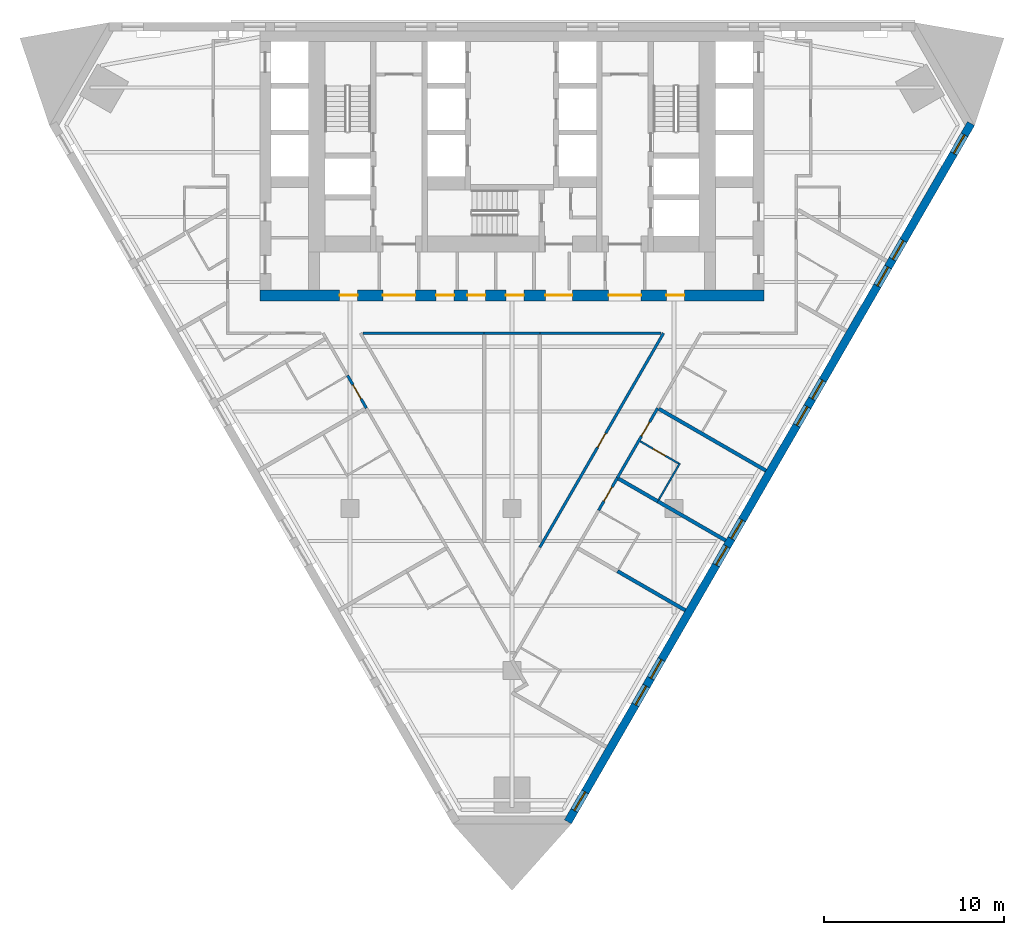
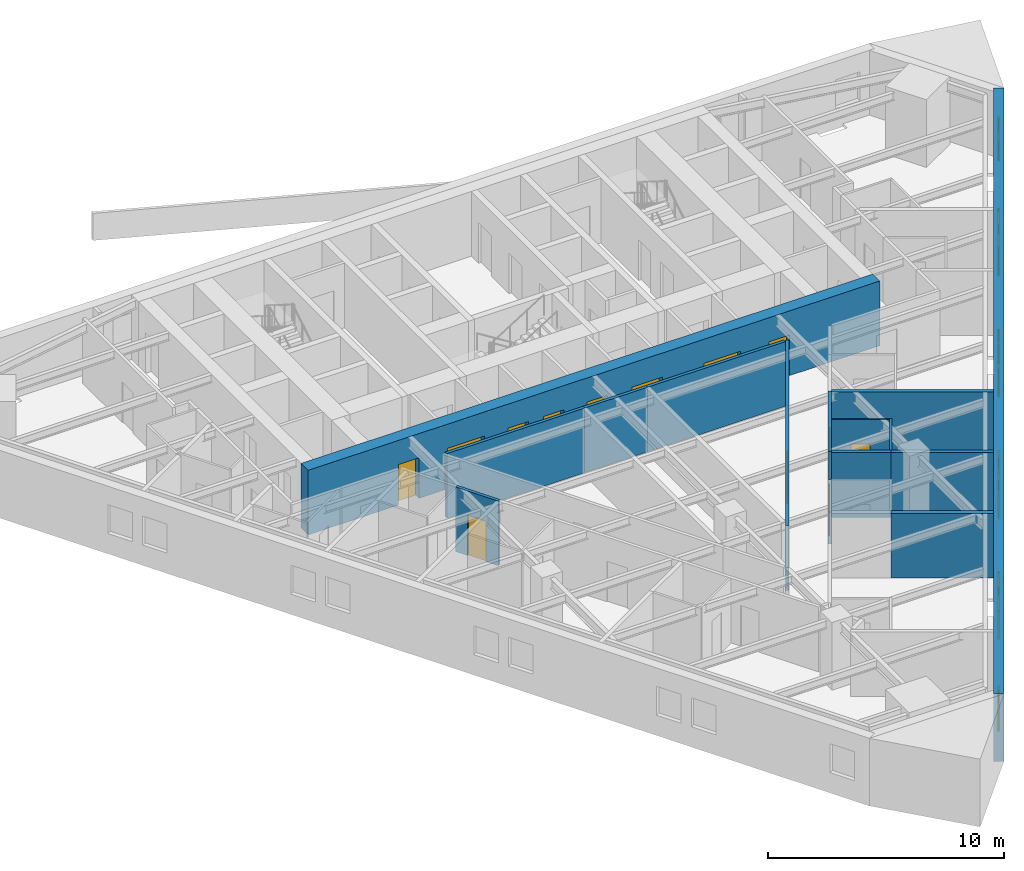
# One storey, part 4 of 11: 15 walls, 13 doors, 10 windows, 23 openings.
"""IFC4 building model written with IfcOpenShell, lengths in metres."""

from ifc_helpers import new_model, si_unit, direction, frame, frame_2d, origin, place, context, subcontext, project, spatial, polyline, rectangle, outline, extrude, material, layer, layer_set, type_object, element, fill, save


model = new_model("IFC4")

# Units and contexts
model_context = context("Model", 3, precision=1e-05, world=origin(), true_north=direction((0.0, 1.0)))
body_context = subcontext(model_context, "Body", "Model", "MODEL_VIEW")
ifc_project = project(units=[si_unit("LENGTHUNIT", "METRE"), si_unit("AREAUNIT", "SQUARE_METRE"), si_unit("VOLUMEUNIT", "CUBIC_METRE"), si_unit("PLANEANGLEUNIT", "RADIAN"), si_unit("MASSUNIT", "GRAM", prefix="KILO")], contexts=[model_context])

# Site, building, storey
site_placement = place(None, origin())
site = spatial("IfcSite", under=ifc_project, at=site_placement, CompositionType="ELEMENT")
building_placement = place(site_placement, origin())
building = spatial("IfcBuilding", under=site, at=building_placement, Name="Aloe Facet Convention Tower", CompositionType="ELEMENT")
storey_placement = place(building_placement, frame((0.0, 0.0, 38.5)))
storey = spatial("IfcBuildingStorey", under=building, at=storey_placement, Name="L07", CompositionType="ELEMENT", Elevation=38.5)

# Wall, openings, doors
ifc_material_1 = material(Name="Concrete C80/95", Category="concrete")
ifc_layer_1 = layer(ifc_material_1, 0.60009765625)
ifc_layer_set_1 = layer_set([ifc_layer_1], Name="CR-W-RC600-C8095")
wall_type_1 = type_object("IfcWallType", Name="CR-W-RC600-C8095", PredefinedType="SOLIDWALL", material=ifc_layer_set_1)
wall_1_placement = place(storey_placement, frame((66.0, 119.85009765625, 0.0), z_axis=(0.0, 0.0, 1.0), x_axis=(1.0, 0.0, 0.0)))
wall_1 = element("IfcWall", 1, at=wall_1_placement, inside=storey, type_object=wall_type_1, Name="Core wall L07-003", PredefinedType="SOLIDWALL", context=body_context, shape_type="SweptSolid", body=[
    extrude(rectangle(XDim=28.0, YDim=0.60009765625, at=frame_2d((14.0, 0.0))), origin(), (0.0, 0.0, 1.0), 3.35009765625),
])
opening_1_placement = place(wall_1_placement, frame((6.824951171875, 0.0, 0.0)))
opening_1 = element("IfcOpeningElement", 2, at=opening_1_placement, cuts=wall_1, Name="Opening L07-CD16", PredefinedType="OPENING", context=body_context, shape_type="SweptSolid", body=[
    extrude(rectangle(XDim=1.800048828125, YDim=2.10009765625, at=frame_2d((0.89990234375, 1.050048828125))), frame((0.0, 0.31005859375, 0.0), z_axis=(0.0, -1.0, 0.0), x_axis=(1.0, 0.0, 0.0)), (0.0, 0.0, 1.0), 0.6201171875),
])
opening_2_placement = place(wall_1_placement, frame((15.85009765625, 0.0, 0.0)))
opening_2 = element("IfcOpeningElement", 3, at=opening_2_placement, cuts=wall_1, Name="Opening L07-CD17", PredefinedType="OPENING", context=body_context, shape_type="SweptSolid", body=[
    extrude(rectangle(XDim=1.5, YDim=2.10009765625, at=frame_2d((0.75, 1.050048828125))), frame((0.0, 0.31005859375, 0.0), z_axis=(0.0, -1.0, 0.0), x_axis=(1.0, 0.0, 0.0)), (0.0, 0.0, 1.0), 0.6201171875),
])
opening_3_placement = place(wall_1_placement, frame((19.375, 0.0, 0.0)))
opening_3 = element("IfcOpeningElement", 4, at=opening_3_placement, cuts=wall_1, Name="Opening L07-CD18", PredefinedType="OPENING", context=body_context, shape_type="SweptSolid", body=[
    extrude(rectangle(XDim=1.800048828125, YDim=2.10009765625, at=frame_2d((0.89990234375, 1.050048828125))), frame((0.0, 0.31005859375, 0.0), z_axis=(0.0, -1.0, 0.0), x_axis=(1.0, 0.0, 0.0)), (0.0, 0.0, 1.0), 0.6201171875),
])
opening_4_placement = place(wall_1_placement, frame((4.425048828125, 0.0, 0.0)))
opening_4 = element("IfcOpeningElement", 5, at=opening_4_placement, cuts=wall_1, Name="Opening L07-CD23", PredefinedType="OPENING", context=body_context, shape_type="SweptSolid", body=[
    extrude(rectangle(XDim=1.0, YDim=2.10009765625, at=frame_2d((0.5, 1.050048828125))), frame((0.0, 0.31005859375, 0.0), z_axis=(0.0, -1.0, 0.0), x_axis=(1.0, 0.0, 0.0)), (0.0, 0.0, 1.0), 0.6201171875),
])
opening_5_placement = place(wall_1_placement, frame((9.783203125, 0.0, 0.0)))
opening_5 = element("IfcOpeningElement", 6, at=opening_5_placement, cuts=wall_1, Name="Opening L07-CD24", PredefinedType="OPENING", context=body_context, shape_type="SweptSolid", body=[
    extrude(rectangle(XDim=1.0, YDim=2.10009765625, at=frame_2d((0.5, 1.050048828125))), frame((0.0, 0.31005859375, 0.0), z_axis=(0.0, -1.0, 0.0), x_axis=(1.0, 0.0, 0.0)), (0.0, 0.0, 1.0), 0.6201171875),
])
opening_6_placement = place(wall_1_placement, frame((11.52490234375, 0.0, 0.0)))
opening_6 = element("IfcOpeningElement", 7, at=opening_6_placement, cuts=wall_1, Name="Opening L07-CD25", PredefinedType="OPENING", context=body_context, shape_type="SweptSolid", body=[
    extrude(rectangle(XDim=1.0, YDim=2.10009765625, at=frame_2d((0.5, 1.050048828125))), frame((0.0, 0.31005859375, 0.0), z_axis=(0.0, -1.0, 0.0), x_axis=(1.0, 0.0, 0.0)), (0.0, 0.0, 1.0), 0.6201171875),
])
opening_7_placement = place(wall_1_placement, frame((13.658203125, 0.0, 0.0)))
opening_7 = element("IfcOpeningElement", 8, at=opening_7_placement, cuts=wall_1, Name="Opening L07-CD26", PredefinedType="OPENING", context=body_context, shape_type="SweptSolid", body=[
    extrude(rectangle(XDim=1.0, YDim=2.10009765625, at=frame_2d((0.5, 1.050048828125))), frame((0.0, 0.31005859375, 0.0), z_axis=(0.0, -1.0, 0.0), x_axis=(1.0, 0.0, 0.0)), (0.0, 0.0, 1.0), 0.6201171875),
])
opening_8_placement = place(wall_1_placement, frame((22.574951171875, 0.0, 0.0)))
opening_8 = element("IfcOpeningElement", 9, at=opening_8_placement, cuts=wall_1, Name="Opening L07-CD28", PredefinedType="OPENING", context=body_context, shape_type="SweptSolid", body=[
    extrude(rectangle(XDim=1.0, YDim=2.10009765625, at=frame_2d((0.5, 1.050048828125))), frame((0.0, 0.31005859375, 0.0), z_axis=(0.0, -1.0, 0.0), x_axis=(1.0, 0.0, 0.0)), (0.0, 0.0, 1.0), 0.6201171875),
])
ifc_material_2 = material(Name="Steel fire-resisting door set FD60", Category="steel")
door_type_1 = type_object("IfcDoorType", Name="CR-D-EXIT-1500-FD60-DD", OperationType="DOUBLE_DOOR_DOUBLE_SWING", PredefinedType="DOOR", material=ifc_material_2)
door_1_placement = place(opening_2_placement, origin())
door_1 = element("IfcDoor", 10, at=door_1_placement, inside=storey, type_object=door_type_1, Name="Core door L07-CD17", OperationType="DOUBLE_DOOR_DOUBLE_SWING", OverallHeight=2.10009765625, OverallWidth=1.5, PredefinedType="DOOR", context=body_context, shape_type="SweptSolid", body=[
    extrude(rectangle(XDim=1.5, YDim=2.10009765625, at=frame_2d((0.75, 1.050048828125))), frame((0.0, 0.02490234375, 0.0), z_axis=(0.0, -1.0, 0.0), x_axis=(1.0, 0.0, 0.0)), (0.0, 0.0, 1.0), 0.050048828125),
])
fill(opening_2, door_1)
ifc_material_3 = material(Name="Steel fire-resisting door set FD60", Category="steel")
door_type_2 = type_object("IfcDoorType", Name="CR-D-EXIT-1800-FD60-DD", OperationType="DOUBLE_DOOR_DOUBLE_SWING", PredefinedType="DOOR", material=ifc_material_3)
door_2_placement = place(opening_1_placement, origin())
door_2 = element("IfcDoor", 11, at=door_2_placement, inside=storey, type_object=door_type_2, Name="Core door L07-CD16", OperationType="DOUBLE_DOOR_DOUBLE_SWING", OverallHeight=2.10009765625, OverallWidth=1.800048828125, PredefinedType="DOOR", context=body_context, shape_type="SweptSolid", body=[
    extrude(rectangle(XDim=1.800048828125, YDim=2.10009765625, at=frame_2d((0.89990234375, 1.050048828125))), frame((0.0, 0.02490234375, 0.0), z_axis=(0.0, -1.0, 0.0), x_axis=(1.0, 0.0, 0.0)), (0.0, 0.0, 1.0), 0.050048828125),
])
fill(opening_1, door_2)
door_3_placement = place(opening_3_placement, origin())
door_3 = element("IfcDoor", 12, at=door_3_placement, inside=storey, type_object=door_type_2, Name="Core door L07-CD18", OperationType="DOUBLE_DOOR_DOUBLE_SWING", OverallHeight=2.10009765625, OverallWidth=1.800048828125, PredefinedType="DOOR", context=body_context, shape_type="SweptSolid", body=[
    extrude(rectangle(XDim=1.800048828125, YDim=2.10009765625, at=frame_2d((0.89990234375, 1.050048828125))), frame((0.0, 0.02490234375, 0.0), z_axis=(0.0, -1.0, 0.0), x_axis=(1.0, 0.0, 0.0)), (0.0, 0.0, 1.0), 0.050048828125),
])
fill(opening_3, door_3)
ifc_material_4 = material(Name="Steel fire-resisting door set FD60", Category="steel")
door_type_3 = type_object("IfcDoorType", Name="CR-D-ROOM-1000-FD60-SRIGHT", OperationType="SINGLE_SWING_RIGHT", PredefinedType="DOOR", material=ifc_material_4)
door_4_placement = place(opening_4_placement, origin())
door_4 = element("IfcDoor", 13, at=door_4_placement, inside=storey, type_object=door_type_3, Name="Core door L07-CD23", OperationType="SINGLE_SWING_RIGHT", OverallHeight=2.10009765625, OverallWidth=1.0, PredefinedType="DOOR", context=body_context, shape_type="SweptSolid", body=[
    extrude(rectangle(XDim=1.0, YDim=2.10009765625, at=frame_2d((0.5, 1.050048828125))), frame((0.0, 0.02490234375, 0.0), z_axis=(0.0, -1.0, 0.0), x_axis=(1.0, 0.0, 0.0)), (0.0, 0.0, 1.0), 0.050048828125),
])
fill(opening_4, door_4)
door_5_placement = place(opening_5_placement, origin())
door_5 = element("IfcDoor", 14, at=door_5_placement, inside=storey, type_object=door_type_3, Name="Core door L07-CD24", OperationType="SINGLE_SWING_RIGHT", OverallHeight=2.10009765625, OverallWidth=1.0, PredefinedType="DOOR", context=body_context, shape_type="SweptSolid", body=[
    extrude(rectangle(XDim=1.0, YDim=2.10009765625, at=frame_2d((0.5, 1.050048828125))), frame((0.0, 0.02490234375, 0.0), z_axis=(0.0, -1.0, 0.0), x_axis=(1.0, 0.0, 0.0)), (0.0, 0.0, 1.0), 0.050048828125),
])
fill(opening_5, door_5)
door_6_placement = place(opening_6_placement, origin())
door_6 = element("IfcDoor", 15, at=door_6_placement, inside=storey, type_object=door_type_3, Name="Core door L07-CD25", OperationType="SINGLE_SWING_RIGHT", OverallHeight=2.10009765625, OverallWidth=1.0, PredefinedType="DOOR", context=body_context, shape_type="SweptSolid", body=[
    extrude(rectangle(XDim=1.0, YDim=2.10009765625, at=frame_2d((0.5, 1.050048828125))), frame((0.0, 0.02490234375, 0.0), z_axis=(0.0, -1.0, 0.0), x_axis=(1.0, 0.0, 0.0)), (0.0, 0.0, 1.0), 0.050048828125),
])
fill(opening_6, door_6)
door_7_placement = place(opening_7_placement, origin())
door_7 = element("IfcDoor", 16, at=door_7_placement, inside=storey, type_object=door_type_3, Name="Core door L07-CD26", OperationType="SINGLE_SWING_RIGHT", OverallHeight=2.10009765625, OverallWidth=1.0, PredefinedType="DOOR", context=body_context, shape_type="SweptSolid", body=[
    extrude(rectangle(XDim=1.0, YDim=2.10009765625, at=frame_2d((0.5, 1.050048828125))), frame((0.0, 0.02490234375, 0.0), z_axis=(0.0, -1.0, 0.0), x_axis=(1.0, 0.0, 0.0)), (0.0, 0.0, 1.0), 0.050048828125),
])
fill(opening_7, door_7)
door_8_placement = place(opening_8_placement, origin())
door_8 = element("IfcDoor", 17, at=door_8_placement, inside=storey, type_object=door_type_3, Name="Core door L07-CD28", OperationType="SINGLE_SWING_RIGHT", OverallHeight=2.10009765625, OverallWidth=1.0, PredefinedType="DOOR", context=body_context, shape_type="SweptSolid", body=[
    extrude(rectangle(XDim=1.0, YDim=2.10009765625, at=frame_2d((0.5, 1.050048828125))), frame((0.0, 0.02490234375, 0.0), z_axis=(0.0, -1.0, 0.0), x_axis=(1.0, 0.0, 0.0)), (0.0, 0.0, 1.0), 0.050048828125),
])
fill(opening_8, door_8)

# Wall, openings, windows
ifc_material_5 = material(Name="Precast concrete C40/50", Category="concrete")
ifc_layer_2 = layer(ifc_material_5, 0.449951171875)
ifc_layer_set_2 = layer_set([ifc_layer_2], Name="EV-WALL-STONE")
wall_type_2 = type_object("IfcWallType", Name="EV-WALL-STONE", PredefinedType="SOLIDWALL", material=ifc_layer_set_2)
wall_2_placement = place(storey_placement, frame((83.105224609375, 90.598876953125, -0.14990234375), z_axis=(0.0, 0.0, 1.0), x_axis=(0.499999201451, 0.866025864826, 0.0)))
wall_2 = element("IfcWall", 18, at=wall_2_placement, inside=storey, type_object=wall_type_2, Name="EW-L07-E01", PredefinedType="SOLIDWALL", context=body_context, shape_type="SweptSolid", body=[
    extrude(outline(polyline([(44.800048828125, 0.0), (44.800048828125, 3.5), (0.0, 3.5), (0.0, 0.0), (44.800048828125, 0.0)])), frame((0.0, 0.22509765625, 0.0), z_axis=(0.0, -1.0, 0.0), x_axis=(1.0, 0.0, 0.0)), (0.0, 0.0, 1.0), 0.449951171875),
])
opening_9_placement = place(wall_2_placement, frame((0.72216796875, 0.0, 1.050048828125)))
opening_9 = element("IfcOpeningElement", 19, at=opening_9_placement, cuts=wall_2, Name="Opening W-L07-E01", PredefinedType="OPENING", context=body_context, shape_type="SweptSolid", body=[
    extrude(rectangle(XDim=1.199951171875, YDim=1.5, at=frame_2d((0.60009765625, 0.75))), frame((0.0, 0.23486328125, 0.0), z_axis=(0.0, -1.0, 0.0), x_axis=(1.0, 0.0, 0.0)), (0.0, 0.0, 1.0), 0.469970703125),
])
opening_10_placement = place(wall_2_placement, frame((7.510009765625, 0.0, 1.050048828125)))
opening_10 = element("IfcOpeningElement", 20, at=opening_10_placement, cuts=wall_2, Name="Opening W-L07-E02", PredefinedType="OPENING", context=body_context, shape_type="SweptSolid", body=[
    extrude(rectangle(XDim=1.199951171875, YDim=1.5, at=frame_2d((0.60009765625, 0.75))), frame((0.0, 0.23486328125, 0.0), z_axis=(0.0, -1.0, 0.0), x_axis=(1.0, 0.0, 0.0)), (0.0, 0.0, 1.0), 0.469970703125),
])
opening_11_placement = place(wall_2_placement, frame((9.2099609375, 0.0, 1.050048828125)))
opening_11 = element("IfcOpeningElement", 21, at=opening_11_placement, cuts=wall_2, Name="Opening W-L07-E03", PredefinedType="OPENING", context=body_context, shape_type="SweptSolid", body=[
    extrude(rectangle(XDim=1.199951171875, YDim=1.5, at=frame_2d((0.60009765625, 0.75))), frame((0.0, 0.23486328125, 0.0), z_axis=(0.0, -1.0, 0.0), x_axis=(1.0, 0.0, 0.0)), (0.0, 0.0, 1.0), 0.469970703125),
])
opening_12_placement = place(wall_2_placement, frame((16.469970703125, 0.0, 1.050048828125)))
opening_12 = element("IfcOpeningElement", 22, at=opening_12_placement, cuts=wall_2, Name="Opening W-L07-E04", PredefinedType="OPENING", context=body_context, shape_type="SweptSolid", body=[
    extrude(rectangle(XDim=1.199951171875, YDim=1.5, at=frame_2d((0.60009765625, 0.75))), frame((0.0, 0.23486328125, 0.0), z_axis=(0.0, -1.0, 0.0), x_axis=(1.0, 0.0, 0.0)), (0.0, 0.0, 1.0), 0.469970703125),
])
opening_13_placement = place(wall_2_placement, frame((18.169921875, 0.0, 1.050048828125)))
opening_13 = element("IfcOpeningElement", 23, at=opening_13_placement, cuts=wall_2, Name="Opening W-L07-E05", PredefinedType="OPENING", context=body_context, shape_type="SweptSolid", body=[
    extrude(rectangle(XDim=1.199951171875, YDim=1.5, at=frame_2d((0.60009765625, 0.75))), frame((0.0, 0.23486328125, 0.0), z_axis=(0.0, -1.0, 0.0), x_axis=(1.0, 0.0, 0.0)), (0.0, 0.0, 1.0), 0.469970703125),
])
opening_14_placement = place(wall_2_placement, frame((25.429931640625, 0.0, 1.050048828125)))
opening_14 = element("IfcOpeningElement", 24, at=opening_14_placement, cuts=wall_2, Name="Opening W-L07-E06", PredefinedType="OPENING", context=body_context, shape_type="SweptSolid", body=[
    extrude(rectangle(XDim=1.199951171875, YDim=1.5, at=frame_2d((0.60009765625, 0.75))), frame((0.0, 0.23486328125, 0.0), z_axis=(0.0, -1.0, 0.0), x_axis=(1.0, 0.0, 0.0)), (0.0, 0.0, 1.0), 0.469970703125),
])
opening_15_placement = place(wall_2_placement, frame((27.1298828125, 0.0, 1.050048828125)))
opening_15 = element("IfcOpeningElement", 25, at=opening_15_placement, cuts=wall_2, Name="Opening W-L07-E07", PredefinedType="OPENING", context=body_context, shape_type="SweptSolid", body=[
    extrude(rectangle(XDim=1.199951171875, YDim=1.5, at=frame_2d((0.60009765625, 0.75))), frame((0.0, 0.23486328125, 0.0), z_axis=(0.0, -1.0, 0.0), x_axis=(1.0, 0.0, 0.0)), (0.0, 0.0, 1.0), 0.469970703125),
])
opening_16_placement = place(wall_2_placement, frame((34.389892578125, 0.0, 1.050048828125)))
opening_16 = element("IfcOpeningElement", 26, at=opening_16_placement, cuts=wall_2, Name="Opening W-L07-E08", PredefinedType="OPENING", context=body_context, shape_type="SweptSolid", body=[
    extrude(rectangle(XDim=1.199951171875, YDim=1.5, at=frame_2d((0.60009765625, 0.75))), frame((0.0, 0.23486328125, 0.0), z_axis=(0.0, -1.0, 0.0), x_axis=(1.0, 0.0, 0.0)), (0.0, 0.0, 1.0), 0.469970703125),
])
opening_17_placement = place(wall_2_placement, frame((36.090087890625, 0.0, 1.050048828125)))
opening_17 = element("IfcOpeningElement", 27, at=opening_17_placement, cuts=wall_2, Name="Opening W-L07-E09", PredefinedType="OPENING", context=body_context, shape_type="SweptSolid", body=[
    extrude(rectangle(XDim=1.199951171875, YDim=1.5, at=frame_2d((0.60009765625, 0.75))), frame((0.0, 0.23486328125, 0.0), z_axis=(0.0, -1.0, 0.0), x_axis=(1.0, 0.0, 0.0)), (0.0, 0.0, 1.0), 0.469970703125),
])
opening_18_placement = place(wall_2_placement, frame((42.8779296875, 0.0, 1.050048828125)))
opening_18 = element("IfcOpeningElement", 28, at=opening_18_placement, cuts=wall_2, Name="Opening W-L07-E10", PredefinedType="OPENING", context=body_context, shape_type="SweptSolid", body=[
    extrude(rectangle(XDim=1.199951171875, YDim=1.5, at=frame_2d((0.60009765625, 0.75))), frame((0.0, 0.23486328125, 0.0), z_axis=(0.0, -1.0, 0.0), x_axis=(1.0, 0.0, 0.0)), (0.0, 0.0, 1.0), 0.469970703125),
])
ifc_material_6 = material(Name="Aluminium frame, clear double glazing", Category="aluminium")
window_type = type_object("IfcWindowType", Name="EV-WIN-H12", PartitioningType="SINGLE_PANEL", PredefinedType="WINDOW", material=ifc_material_6)
window_1_placement = place(opening_9_placement, origin())
window_1 = element("IfcWindow", 29, at=window_1_placement, inside=storey, type_object=window_type, Name="W-L07-E01", OverallHeight=1.5, OverallWidth=1.199951171875, PartitioningType="SINGLE_PANEL", PredefinedType="WINDOW", context=body_context, shape_type="SweptSolid", body=[
    extrude(rectangle(XDim=1.199951171875, YDim=1.5, at=frame_2d((0.60009765625, 0.75))), frame((0.0, 0.030029296875, 0.0), z_axis=(0.0, -1.0, 0.0), x_axis=(1.0, 0.0, 0.0)), (0.0, 0.0, 1.0), 0.06005859375),
])
fill(opening_9, window_1)
window_2_placement = place(opening_10_placement, origin())
window_2 = element("IfcWindow", 30, at=window_2_placement, inside=storey, type_object=window_type, Name="W-L07-E02", OverallHeight=1.5, OverallWidth=1.199951171875, PartitioningType="SINGLE_PANEL", PredefinedType="WINDOW", context=body_context, shape_type="SweptSolid", body=[
    extrude(rectangle(XDim=1.199951171875, YDim=1.5, at=frame_2d((0.60009765625, 0.75))), frame((0.0, 0.030029296875, 0.0), z_axis=(0.0, -1.0, 0.0), x_axis=(1.0, 0.0, 0.0)), (0.0, 0.0, 1.0), 0.06005859375),
])
fill(opening_10, window_2)
window_3_placement = place(opening_11_placement, origin())
window_3 = element("IfcWindow", 31, at=window_3_placement, inside=storey, type_object=window_type, Name="W-L07-E03", OverallHeight=1.5, OverallWidth=1.199951171875, PartitioningType="SINGLE_PANEL", PredefinedType="WINDOW", context=body_context, shape_type="SweptSolid", body=[
    extrude(rectangle(XDim=1.199951171875, YDim=1.5, at=frame_2d((0.60009765625, 0.75))), frame((0.0, 0.030029296875, 0.0), z_axis=(0.0, -1.0, 0.0), x_axis=(1.0, 0.0, 0.0)), (0.0, 0.0, 1.0), 0.06005859375),
])
fill(opening_11, window_3)
window_4_placement = place(opening_12_placement, origin())
window_4 = element("IfcWindow", 32, at=window_4_placement, inside=storey, type_object=window_type, Name="W-L07-E04", OverallHeight=1.5, OverallWidth=1.199951171875, PartitioningType="SINGLE_PANEL", PredefinedType="WINDOW", context=body_context, shape_type="SweptSolid", body=[
    extrude(rectangle(XDim=1.199951171875, YDim=1.5, at=frame_2d((0.60009765625, 0.75))), frame((0.0, 0.030029296875, 0.0), z_axis=(0.0, -1.0, 0.0), x_axis=(1.0, 0.0, 0.0)), (0.0, 0.0, 1.0), 0.06005859375),
])
fill(opening_12, window_4)
window_5_placement = place(opening_13_placement, origin())
window_5 = element("IfcWindow", 33, at=window_5_placement, inside=storey, type_object=window_type, Name="W-L07-E05", OverallHeight=1.5, OverallWidth=1.199951171875, PartitioningType="SINGLE_PANEL", PredefinedType="WINDOW", context=body_context, shape_type="SweptSolid", body=[
    extrude(rectangle(XDim=1.199951171875, YDim=1.5, at=frame_2d((0.60009765625, 0.75))), frame((0.0, 0.030029296875, 0.0), z_axis=(0.0, -1.0, 0.0), x_axis=(1.0, 0.0, 0.0)), (0.0, 0.0, 1.0), 0.06005859375),
])
fill(opening_13, window_5)
window_6_placement = place(opening_14_placement, origin())
window_6 = element("IfcWindow", 34, at=window_6_placement, inside=storey, type_object=window_type, Name="W-L07-E06", OverallHeight=1.5, OverallWidth=1.199951171875, PartitioningType="SINGLE_PANEL", PredefinedType="WINDOW", context=body_context, shape_type="SweptSolid", body=[
    extrude(rectangle(XDim=1.199951171875, YDim=1.5, at=frame_2d((0.60009765625, 0.75))), frame((0.0, 0.030029296875, 0.0), z_axis=(0.0, -1.0, 0.0), x_axis=(1.0, 0.0, 0.0)), (0.0, 0.0, 1.0), 0.06005859375),
])
fill(opening_14, window_6)
window_7_placement = place(opening_15_placement, origin())
window_7 = element("IfcWindow", 35, at=window_7_placement, inside=storey, type_object=window_type, Name="W-L07-E07", OverallHeight=1.5, OverallWidth=1.199951171875, PartitioningType="SINGLE_PANEL", PredefinedType="WINDOW", context=body_context, shape_type="SweptSolid", body=[
    extrude(rectangle(XDim=1.199951171875, YDim=1.5, at=frame_2d((0.60009765625, 0.75))), frame((0.0, 0.030029296875, 0.0), z_axis=(0.0, -1.0, 0.0), x_axis=(1.0, 0.0, 0.0)), (0.0, 0.0, 1.0), 0.06005859375),
])
fill(opening_15, window_7)
window_8_placement = place(opening_16_placement, origin())
window_8 = element("IfcWindow", 36, at=window_8_placement, inside=storey, type_object=window_type, Name="W-L07-E08", OverallHeight=1.5, OverallWidth=1.199951171875, PartitioningType="SINGLE_PANEL", PredefinedType="WINDOW", context=body_context, shape_type="SweptSolid", body=[
    extrude(rectangle(XDim=1.199951171875, YDim=1.5, at=frame_2d((0.60009765625, 0.75))), frame((0.0, 0.030029296875, 0.0), z_axis=(0.0, -1.0, 0.0), x_axis=(1.0, 0.0, 0.0)), (0.0, 0.0, 1.0), 0.06005859375),
])
fill(opening_16, window_8)
window_9_placement = place(opening_17_placement, origin())
window_9 = element("IfcWindow", 37, at=window_9_placement, inside=storey, type_object=window_type, Name="W-L07-E09", OverallHeight=1.5, OverallWidth=1.199951171875, PartitioningType="SINGLE_PANEL", PredefinedType="WINDOW", context=body_context, shape_type="SweptSolid", body=[
    extrude(rectangle(XDim=1.199951171875, YDim=1.5, at=frame_2d((0.60009765625, 0.75))), frame((0.0, 0.030029296875, 0.0), z_axis=(0.0, -1.0, 0.0), x_axis=(1.0, 0.0, 0.0)), (0.0, 0.0, 1.0), 0.06005859375),
])
fill(opening_17, window_9)
window_10_placement = place(opening_18_placement, origin())
window_10 = element("IfcWindow", 38, at=window_10_placement, inside=storey, type_object=window_type, Name="W-L07-E10", OverallHeight=1.5, OverallWidth=1.199951171875, PartitioningType="SINGLE_PANEL", PredefinedType="WINDOW", context=body_context, shape_type="SweptSolid", body=[
    extrude(rectangle(XDim=1.199951171875, YDim=1.5, at=frame_2d((0.60009765625, 0.75))), frame((0.0, 0.030029296875, 0.0), z_axis=(0.0, -1.0, 0.0), x_axis=(1.0, 0.0, 0.0)), (0.0, 0.0, 1.0), 0.06005859375),
])
fill(opening_18, window_10)

# Wall, opening, door
ifc_material_7 = material(Name="Gypsum board partition on steel studs", Category="steel")
ifc_layer_3 = layer(ifc_material_7, 0.14990234375)
ifc_layer_set_3 = layer_set([ifc_layer_3], Name="IN-W-CORR")
wall_type_3 = type_object("IfcWallType", Name="IN-W-CORR", PredefinedType="PARTITIONING", material=ifc_layer_set_3)
wall_3_placement = place(storey_placement, frame((81.544921875, 105.846435546875, 0.0), z_axis=(0.0, 0.0, 1.0), x_axis=(0.500001770766, 0.86602438143, 0.0)))
wall_3 = element("IfcWall", 39, at=wall_3_placement, inside=storey, type_object=wall_type_3, Name="Partition L07-W031", PredefinedType="PARTITIONING", context=body_context, shape_type="SweptSolid", body=[
    extrude(rectangle(XDim=13.7451171875, YDim=0.14990234375, at=frame_2d((6.87255859375, 0.0))), origin(), (0.0, 0.0, 1.0), 3.35009765625),
])
opening_19_placement = place(wall_3_placement, frame((6.42236328125, 0.0, 0.0)))
opening_19 = element("IfcOpeningElement", 40, at=opening_19_placement, cuts=wall_3, Name="Opening L07-015", PredefinedType="OPENING", context=body_context, shape_type="SweptSolid", body=[
    extrude(rectangle(XDim=0.89990234375, YDim=2.10009765625, at=frame_2d((0.449951171875, 1.050048828125))), frame((0.0, 0.0849609375, 0.0), z_axis=(0.0, -1.0, 0.0), x_axis=(1.0, 0.0, 0.0)), (0.0, 0.0, 1.0), 0.169921875),
])
ifc_material_8 = material(Name="Hardwood flush door FD30S", Category="wood")
door_type_4 = type_object("IfcDoorType", Name="IN-D-GUEST", OperationType="SINGLE_SWING_LEFT", PredefinedType="DOOR", material=ifc_material_8)
door_9_placement = place(opening_19_placement, origin())
door_9 = element("IfcDoor", 41, at=door_9_placement, inside=storey, type_object=door_type_4, Name="Door L07-015", OperationType="SINGLE_SWING_LEFT", OverallHeight=2.10009765625, OverallWidth=0.89990234375, PredefinedType="DOOR", context=body_context, shape_type="SweptSolid", body=[
    extrude(rectangle(XDim=0.89990234375, YDim=2.10009765625, at=frame_2d((0.449951171875, 1.050048828125))), frame((0.0, 0.02490234375, 0.0), z_axis=(0.0, -1.0, 0.0), x_axis=(1.0, 0.0, 0.0)), (0.0, 0.0, 1.0), 0.050048828125),
])
fill(opening_19, door_9)

wall_4_placement = place(storey_placement, frame((84.8115234375, 107.904052734375, 0.0), z_axis=(0.0, 0.0, 1.0), x_axis=(0.499888406853, 0.866089822532, 0.0)))
wall_4 = element("IfcWall", 42, at=wall_4_placement, inside=storey, type_object=wall_type_3, Name="Partition L07-W036", PredefinedType="PARTITIONING", context=body_context, shape_type="SweptSolid", body=[
    extrude(rectangle(XDim=2.080078125, YDim=0.14990234375, at=frame_2d((1.0400390625, 0.0))), origin(), (0.0, 0.0, 1.0), 3.35009765625),
])
opening_20_placement = place(wall_4_placement, frame((0.590087890625, 0.0, 0.0)))
opening_20 = element("IfcOpeningElement", 43, at=opening_20_placement, cuts=wall_4, Name="Opening L07-009", PredefinedType="OPENING", context=body_context, shape_type="SweptSolid", body=[
    extrude(rectangle(XDim=0.89990234375, YDim=2.10009765625, at=frame_2d((0.449951171875, 1.050048828125))), frame((0.0, 0.0849609375, 0.0), z_axis=(0.0, -1.0, 0.0), x_axis=(1.0, 0.0, 0.0)), (0.0, 0.0, 1.0), 0.169921875),
])
door_10_placement = place(opening_20_placement, origin())
door_10 = element("IfcDoor", 44, at=door_10_placement, inside=storey, type_object=door_type_4, Name="Door L07-009", OperationType="SINGLE_SWING_LEFT", OverallHeight=2.10009765625, OverallWidth=0.89990234375, PredefinedType="DOOR", context=body_context, shape_type="SweptSolid", body=[
    extrude(rectangle(XDim=0.89990234375, YDim=2.10009765625, at=frame_2d((0.449951171875, 1.050048828125))), frame((0.0, 0.02490234375, 0.0), z_axis=(0.0, -1.0, 0.0), x_axis=(1.0, 0.0, 0.0)), (0.0, 0.0, 1.0), 0.050048828125),
])
fill(opening_20, door_10)

wall_5_placement = place(storey_placement, frame((70.863525390625, 115.395263671875, 0.0), z_axis=(0.0, 0.0, 1.0), x_axis=(0.500046000743, -0.865998843614, 0.0)))
wall_5 = element("IfcWall", 45, at=wall_5_placement, inside=storey, type_object=wall_type_3, Name="Partition L07-W051", PredefinedType="PARTITIONING", context=body_context, shape_type="SweptSolid", body=[
    extrude(rectangle(XDim=2.090087890625, YDim=0.14990234375, at=frame_2d((1.044921875, 0.0))), origin(), (0.0, 0.0, 1.0), 3.35009765625),
])
opening_21_placement = place(wall_5_placement, frame((0.594970703125, 0.0, 0.0)))
opening_21 = element("IfcOpeningElement", 46, at=opening_21_placement, cuts=wall_5, Name="Opening L07-005", PredefinedType="OPENING", context=body_context, shape_type="SweptSolid", body=[
    extrude(rectangle(XDim=0.89990234375, YDim=2.10009765625, at=frame_2d((0.449951171875, 1.050048828125))), frame((0.0, 0.0849609375, 0.0), z_axis=(0.0, -1.0, 0.0), x_axis=(1.0, 0.0, 0.0)), (0.0, 0.0, 1.0), 0.169921875),
])
door_11_placement = place(opening_21_placement, origin())
door_11 = element("IfcDoor", 47, at=door_11_placement, inside=storey, type_object=door_type_4, Name="Door L07-005", OperationType="SINGLE_SWING_LEFT", OverallHeight=2.10009765625, OverallWidth=0.89990234375, PredefinedType="DOOR", context=body_context, shape_type="SweptSolid", body=[
    extrude(rectangle(XDim=0.89990234375, YDim=2.10009765625, at=frame_2d((0.449951171875, 1.050048828125))), frame((0.0, 0.02490234375, 0.0), z_axis=(0.0, -1.0, 0.0), x_axis=(1.0, 0.0, 0.0)), (0.0, 0.0, 1.0), 0.050048828125),
])
fill(opening_21, door_11)

wall_6_placement = place(storey_placement, frame((85.851318359375, 109.70556640625, 0.0), z_axis=(0.0, 0.0, 1.0), x_axis=(0.500013360201, 0.866017690131, 0.0)))
wall_6 = element("IfcWall", 48, at=wall_6_placement, inside=storey, type_object=wall_type_3, Name="Partition L07-W052", PredefinedType="PARTITIONING", context=body_context, shape_type="SweptSolid", body=[
    extrude(rectangle(XDim=4.47998046875, YDim=0.14990234375, at=frame_2d((2.239990234375, 0.0))), origin(), (0.0, 0.0, 1.0), 3.35009765625),
])
opening_22_placement = place(wall_6_placement, frame((2.68408203125, 0.0, 0.0)))
opening_22 = element("IfcOpeningElement", 49, at=opening_22_placement, cuts=wall_6, Name="Opening L07-010", PredefinedType="OPENING", context=body_context, shape_type="SweptSolid", body=[
    extrude(rectangle(XDim=0.89990234375, YDim=2.10009765625, at=frame_2d((0.449951171875, 1.050048828125))), frame((0.0, 0.0849609375, 0.0), z_axis=(0.0, -1.0, 0.0), x_axis=(1.0, 0.0, 0.0)), (0.0, 0.0, 1.0), 0.169921875),
])
door_12_placement = place(opening_22_placement, origin())
door_12 = element("IfcDoor", 50, at=door_12_placement, inside=storey, type_object=door_type_4, Name="Door L07-010", OperationType="SINGLE_SWING_LEFT", OverallHeight=2.10009765625, OverallWidth=0.89990234375, PredefinedType="DOOR", context=body_context, shape_type="SweptSolid", body=[
    extrude(rectangle(XDim=0.89990234375, YDim=2.10009765625, at=frame_2d((0.449951171875, 1.050048828125))), frame((0.0, 0.02490234375, 0.0), z_axis=(0.0, -1.0, 0.0), x_axis=(1.0, 0.0, 0.0)), (0.0, 0.0, 1.0), 0.050048828125),
])
fill(opening_22, door_12)

# Walls
wall_7_placement = place(storey_placement, frame((71.71240234375, 117.75, 0.0), z_axis=(0.0, 0.0, 1.0), x_axis=(1.0, 0.0, 0.0)))
element("IfcWall", 51, at=wall_7_placement, inside=storey, type_object=wall_type_3, Name="Partition L07-W067", PredefinedType="PARTITIONING", context=body_context, shape_type="SweptSolid", body=[
    extrude(rectangle(XDim=6.74267578125, YDim=0.14990234375, at=frame_2d((3.371337890625, 0.0))), origin(), (0.0, 0.0, 1.0), 3.35009765625),
])
wall_8_placement = place(storey_placement, frame((78.455078125, 117.75, 0.0), z_axis=(0.0, 0.0, 1.0), x_axis=(1.0, 0.0, 0.0)))
element("IfcWall", 52, at=wall_8_placement, inside=storey, type_object=wall_type_3, Name="Partition L07-W068", PredefinedType="PARTITIONING", context=body_context, shape_type="SweptSolid", body=[
    extrude(rectangle(XDim=3.08984375, YDim=0.14990234375, at=frame_2d((1.544921875, 0.0))), origin(), (0.0, 0.0, 1.0), 3.35009765625),
])
wall_9_placement = place(storey_placement, frame((81.544921875, 117.75, 0.0), z_axis=(0.0, 0.0, 1.0), x_axis=(1.0, 0.0, 0.0)))
element("IfcWall", 53, at=wall_9_placement, inside=storey, type_object=wall_type_3, Name="Partition L07-W069", PredefinedType="PARTITIONING", context=body_context, shape_type="SweptSolid", body=[
    extrude(rectangle(XDim=6.74267578125, YDim=0.14990234375, at=frame_2d((3.371337890625, 0.0))), origin(), (0.0, 0.0, 1.0), 3.35009765625),
])
ifc_material_9 = material(Name="Gypsum board partition on steel studs", Category="steel")
ifc_layer_4 = layer(ifc_material_9, 0.10009765625)
ifc_layer_set_4 = layer_set([ifc_layer_4], Name="IN-W-PART")
wall_type_4 = type_object("IfcWallType", Name="IN-W-PART", PredefinedType="PARTITIONING", material=ifc_layer_set_4)
wall_10_placement = place(storey_placement, frame((88.157958984375, 108.500732421875, 0.0), z_axis=(0.0, 0.0, 1.0), x_axis=(0.500032503492, 0.866006637072, 0.0)))
element("IfcWall", 54, at=wall_10_placement, inside=storey, type_object=wall_type_4, Name="Partition L07-W042", PredefinedType="PARTITIONING", context=body_context, shape_type="SweptSolid", body=[
    extrude(rectangle(XDim=2.340087890625, YDim=0.10009765625, at=frame_2d((1.169921875, 0.0))), origin(), (0.0, 0.0, 1.0), 3.35009765625),
])

# Wall, opening, door
wall_11_placement = place(storey_placement, frame((87.116455078125, 111.746337890625, 0.0), z_axis=(0.0, 0.0, 1.0), x_axis=(0.86604923931, -0.499958713387, 0.0)))
wall_11 = element("IfcWall", 55, at=wall_11_placement, inside=storey, type_object=wall_type_4, Name="Partition L07-W044", PredefinedType="PARTITIONING", context=body_context, shape_type="SweptSolid", body=[
    extrude(rectangle(XDim=2.474853515625, YDim=0.10009765625, at=frame_2d((1.2373046875, 0.0))), origin(), (0.0, 0.0, 1.0), 3.35009765625),
])
opening_23_placement = place(wall_11_placement, frame((0.83740234375, 0.0, 0.0)))
opening_23 = element("IfcOpeningElement", 56, at=opening_23_placement, cuts=wall_11, Name="Opening L07-025", PredefinedType="OPENING", context=body_context, shape_type="SweptSolid", body=[
    extrude(rectangle(XDim=0.800048828125, YDim=2.10009765625, at=frame_2d((0.39990234375, 1.050048828125))), frame((0.0, 0.06005859375, 0.0), z_axis=(0.0, -1.0, 0.0), x_axis=(1.0, 0.0, 0.0)), (0.0, 0.0, 1.0), 0.1201171875),
])
ifc_material_10 = material(Name="Timber flush door", Category="wood")
door_type_5 = type_object("IfcDoorType", Name="IN-D-BATH", OperationType="SINGLE_SWING_LEFT", PredefinedType="DOOR", material=ifc_material_10)
door_13_placement = place(opening_23_placement, origin())
door_13 = element("IfcDoor", 57, at=door_13_placement, inside=storey, type_object=door_type_5, Name="Door L07-025", OperationType="SINGLE_SWING_LEFT", OverallHeight=2.10009765625, OverallWidth=0.800048828125, PredefinedType="DOOR", context=body_context, shape_type="SweptSolid", body=[
    extrude(rectangle(XDim=0.800048828125, YDim=2.10009765625, at=frame_2d((0.39990234375, 1.050048828125))), frame((0.0, 0.02490234375, 0.0), z_axis=(0.0, -1.0, 0.0), x_axis=(1.0, 0.0, 0.0)), (0.0, 0.0, 1.0), 0.050048828125),
])
fill(opening_23, door_13)

# Walls
ifc_material_11 = material(Name="Gypsum board partition on steel studs", Category="steel")
ifc_layer_5 = layer(ifc_material_11, 0.199951171875)
ifc_layer_set_5 = layer_set([ifc_layer_5], Name="IN-W-PARTY")
wall_type_5 = type_object("IfcWallType", Name="IN-W-PARTY", PredefinedType="PARTITIONING", material=ifc_layer_set_5)
for number, where, z_axis, x_axis, name in (
    (58, (85.863037109375, 104.525634765625, 0.0), (0.0, 0.0, 1.0), (0.866027639635, -0.499996127374, 0.0), "Partition L07-W016"),
    (59, (88.10302734375, 108.405517578125, 0.0), (0.0, 0.0, 1.0), (0.866027639635, -0.499996127374, 0.0), "Partition L07-W032"),
):
    element("IfcWall", number, at=place(storey_placement, frame(where, z_axis=z_axis, x_axis=x_axis)), inside=storey, type_object=wall_type_5, Name=name, PredefinedType="PARTITIONING", context=body_context, shape_type="SweptSolid", body=[
        extrude(rectangle(XDim=4.35009765625, YDim=0.199951171875, at=frame_2d((2.175048828125, 0.0))), origin(), (0.0, 0.0, 1.0), 3.35009765625),
    ])
wall_12_placement = place(storey_placement, frame((85.925048828125, 109.6630859375, 0.0), z_axis=(0.0, 0.0, 1.0), x_axis=(0.866006140796, -0.500033362991, 0.0)))
element("IfcWall", 60, at=wall_12_placement, inside=storey, type_object=wall_type_5, Name="Partition L07-W035", PredefinedType="PARTITIONING", context=body_context, shape_type="SweptSolid", body=[
    extrude(rectangle(XDim=2.514892578125, YDim=0.199951171875, at=frame_2d((1.25732421875, 0.0))), origin(), (0.0, 0.0, 1.0), 3.35009765625),
])
wall_13_placement = place(storey_placement, frame((88.1650390625, 113.542724609375, 0.0), z_axis=(0.0, 0.0, 1.0), x_axis=(0.86603516302, -0.499983096127, 0.0)))
element("IfcWall", 61, at=wall_13_placement, inside=storey, type_object=wall_type_5, Name="Partition L07-W041", PredefinedType="PARTITIONING", context=body_context, shape_type="SweptSolid", body=[
    extrude(rectangle(XDim=6.864990234375, YDim=0.199951171875, at=frame_2d((3.4326171875, 0.0))), origin(), (0.0, 0.0, 1.0), 3.35009765625),
])

save(model, "model.ifc")
